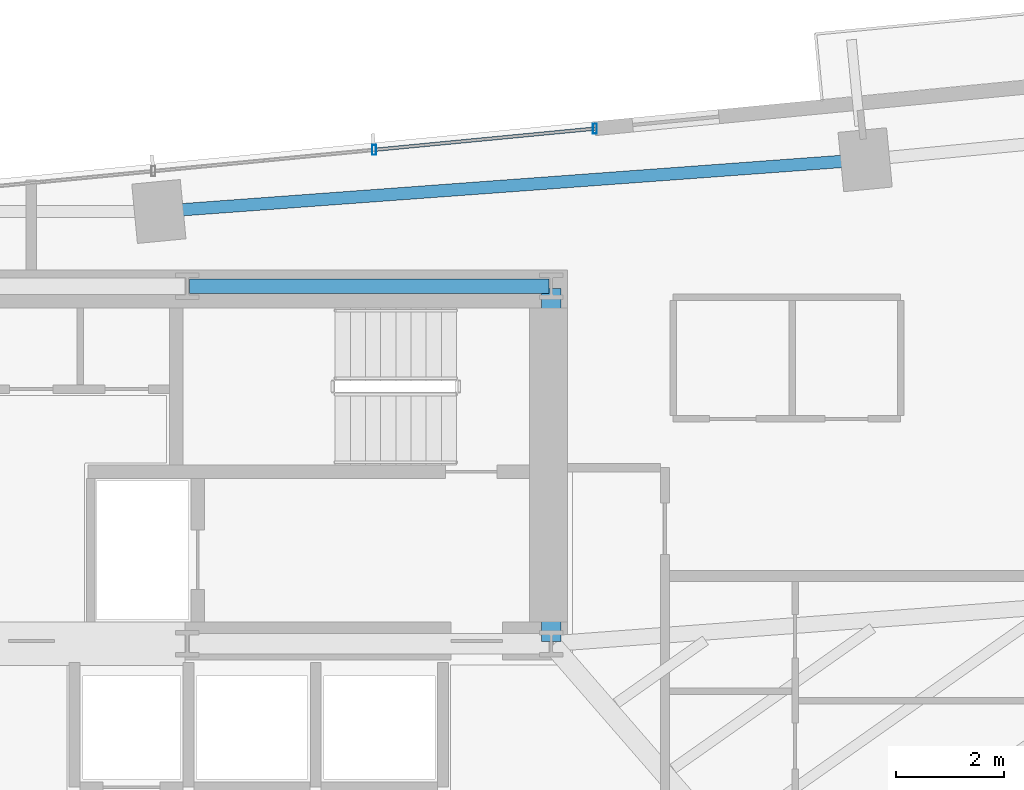
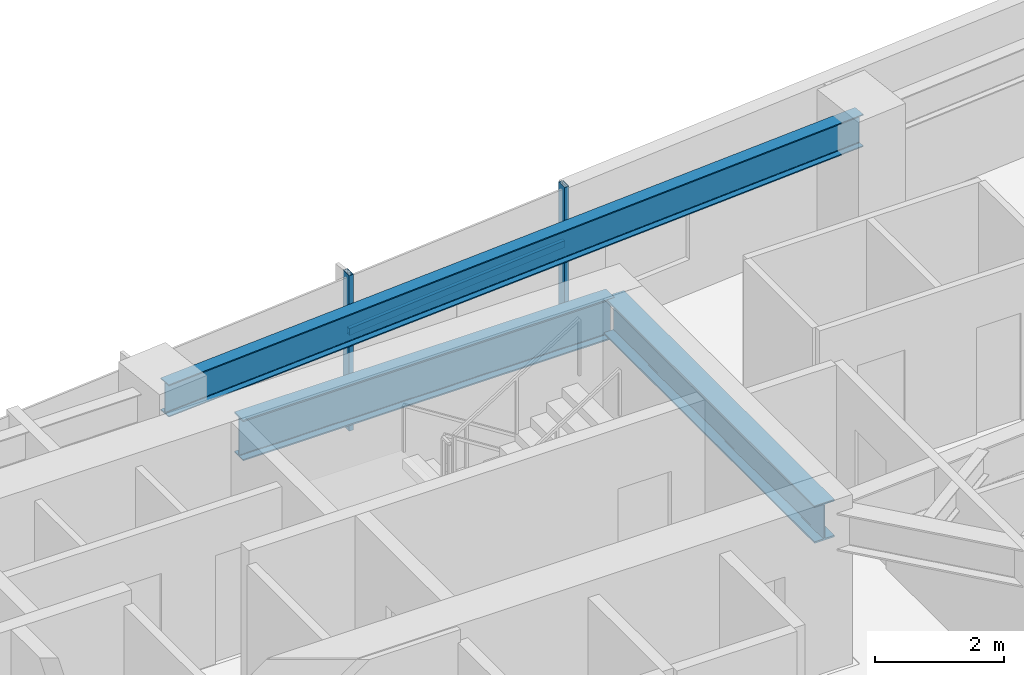
# One storey, part 17 of 27: 3 beams, 3 members, 1 element without a shape of its own.
"""IFC4 building model written with IfcOpenShell, lengths in metres."""

from ifc_helpers import new_model, si_unit, direction, frame, origin, origin_2d, place, context, subcontext, project, spatial, hollow_rectangle, i_section, extrude, source, transform, mapped, material, material_profile, profile_set, type_object, type_shapes, element, aggregate, save


model = new_model("IFC4")

# Units and contexts
model_context = context("Model", 3, precision=1e-05, world=origin(), true_north=direction((0.0, 1.0)))
body_context = subcontext(model_context, "Body", "Model", "MODEL_VIEW")
ifc_project = project(units=[si_unit("LENGTHUNIT", "METRE"), si_unit("AREAUNIT", "SQUARE_METRE"), si_unit("VOLUMEUNIT", "CUBIC_METRE"), si_unit("PLANEANGLEUNIT", "RADIAN"), si_unit("MASSUNIT", "GRAM", prefix="KILO")], contexts=[model_context])

# Site, building, storey
site_placement = place(None, origin())
site = spatial("IfcSite", under=ifc_project, at=site_placement, CompositionType="ELEMENT")
building_placement = place(site_placement, origin())
building = spatial("IfcBuilding", under=site, at=building_placement, Name="Astriad Promenade Condominiums", CompositionType="ELEMENT")
storey_placement = place(building_placement, frame((0.0, 0.0, 109.800048828125)))
storey = spatial("IfcBuildingStorey", under=building, at=storey_placement, Name="L31", CompositionType="ELEMENT", Elevation=109.800048828125)

# Beams
ifc_material_1 = material(Name="Steel ASTM A992 Grade 50", Category="steel")
ifc_material_profile_1 = material_profile(ifc_material_1, i_section(OverallWidth=0.267822265625, OverallDepth=0.76953125, WebThickness=0.015625, FlangeThickness=0.025390625, FilletRadius=0.021484375, at=origin_2d()), Name="W30X132")
ifc_profile_set_1 = profile_set([ifc_material_profile_1], Name="Steel ASTM A992 Grade 50")
beam_type_1 = type_object("IfcBeamType", Name="STEEL FLOOR GIRDER W30X132", PredefinedType="BEAM", material=ifc_profile_set_1)
shared_shape_1 = source(origin(), body_context, "Body", "SweptSolid", [
    extrude(i_section(OverallWidth=0.267822265625, OverallDepth=0.76953125, WebThickness=0.015625, FlangeThickness=0.025390625, FilletRadius=0.021484375, at=origin_2d()), origin(), (0.0, 0.0, 1.0), 6.64013671875),
])
type_shapes(beam_type_1, [shared_shape_1])
beam_1_placement = place(storey_placement, frame((38.919921875, 24.0, 2.55517578125), z_axis=(1.0, 0.0, 0.0), x_axis=(0.0, 1.0, 0.0)))
element("IfcBeam", 1, at=beam_1_placement, inside=storey, type_object=beam_type_1, Name="Core Ring Beam CG-N3-L31", PredefinedType="BEAM", context=body_context, shape_type="MappedRepresentation", body=[
    mapped(shared_shape_1, transform((0.0, 0.0, 0.0), scale=1.0)),
])
ifc_material_profile_2 = material_profile(ifc_material_1, i_section(OverallWidth=0.35791015625, OverallDepth=0.706298828125, WebThickness=0.018310546875, FlangeThickness=0.0302734375, FilletRadius=0.020263671875, at=origin_2d()), Name="W27X178")
ifc_profile_set_2 = profile_set([ifc_material_profile_2], Name="Steel ASTM A992 Grade 50")
beam_type_2 = type_object("IfcBeamType", Name="STEEL FLOOR GIRDER W27X178", PredefinedType="BEAM", material=ifc_profile_set_2)
shared_shape_2 = source(origin(), body_context, "Body", "SweptSolid", [
    extrude(i_section(OverallWidth=0.35791015625, OverallDepth=0.706298828125, WebThickness=0.018310546875, FlangeThickness=0.0302734375, FilletRadius=0.020263671875, at=origin_2d()), origin(), (0.0, 0.0, 1.0), 6.52001953125),
])
type_shapes(beam_type_2, [shared_shape_2])
beam_2_placement = place(storey_placement, frame((45.60009765625, 17.43994140625, 2.586669921875), z_axis=(0.0, 1.0, 0.0), x_axis=(-1.0, 0.0, 0.0)))
element("IfcBeam", 2, at=beam_2_placement, inside=storey, type_object=beam_type_2, Name="Core Ring Beam CG-E1-L31", PredefinedType="BEAM", context=body_context, shape_type="MappedRepresentation", body=[
    mapped(shared_shape_2, transform((0.0, 0.0, 0.0), scale=1.0)),
])
ifc_material_profile_3 = material_profile(ifc_material_1, i_section(OverallWidth=0.22900390625, OverallDepth=0.612060546875, WebThickness=0.011962890625, FlangeThickness=0.01953125, FilletRadius=0.017822265625, at=origin_2d()), Name="W24X84")
ifc_profile_set_3 = profile_set([ifc_material_profile_3], Name="Steel ASTM A992 Grade 50")
beam_type_3 = type_object("IfcBeamType", Name="STEEL SPANDREL BEAM W24X84", PredefinedType="SPANDREL", material=ifc_profile_set_3)
shared_shape_3 = source(origin(), body_context, "Body", "SweptSolid", [
    extrude(i_section(OverallWidth=0.22900390625, OverallDepth=0.612060546875, WebThickness=0.011962890625, FlangeThickness=0.01953125, FilletRadius=0.017822265625, at=origin_2d()), origin(), (0.0, 0.0, 1.0), 12.99462890625),
])
type_shapes(beam_type_3, [shared_shape_3])
beam_3_placement = place(storey_placement, frame((51.3544921875, 26.33203125, 2.6337890625), z_axis=(-0.997328518297, -0.073046742505, 0.0), x_axis=(0.073046742505, -0.997328518297, 0.0)))
element("IfcBeam", 3, at=beam_3_placement, inside=storey, type_object=beam_type_3, Name="Perimeter Spandrel Beam SP-N3-L31", PredefinedType="SPANDREL", context=body_context, shape_type="MappedRepresentation", body=[
    mapped(shared_shape_3, transform((0.0, 0.0, 0.0), scale=1.0)),
])

# Curtain wall, members
ifc_material_2 = material(Name="Anodised aluminium Black Dark Glass Unitised", Category="aluminium")
curtain_wall_type = type_object("IfcCurtainWallType", Name="CW-B2-DARK", PredefinedType="USERDEFINED", material=ifc_material_2)
curtain_wall_placement = place(storey_placement, origin())
curtain_wall = element("IfcCurtainWall", 4, at=curtain_wall_placement, inside=storey, type_object=curtain_wall_type, Name="CW-L31-N", ObjectType="UNITISED_CURTAIN_WALL", PredefinedType="USERDEFINED")
ifc_material_3 = material(Name="Anodised aluminium 6063-T6 Black", Category="aluminium")
ifc_material_profile_4 = material_profile(ifc_material_3, hollow_rectangle(XDim=0.074951171875, YDim=0.18505859375, WallThickness=0.00439453125, at=origin_2d()), Name="ALU-MUL-75X185")
ifc_profile_set_4 = profile_set([ifc_material_profile_4], Name="Anodised aluminium 6063-T6 Black")
member_type_1 = type_object("IfcMemberType", Name="MUL-ALU-MUL-75X185", PredefinedType="MULLION", material=ifc_profile_set_4)
shared_shape_4 = source(origin(), body_context, "Body", "SweptSolid", [
    extrude(hollow_rectangle(XDim=0.074951171875, YDim=0.18505859375, WallThickness=0.00439453125, at=origin_2d()), origin(), (0.0, 0.0, 1.0), 2.93994140625),
])
type_shapes(member_type_1, [shared_shape_4])
member_1_placement = place(storey_placement, frame((42.330078125, 26.51708984375, 0.0), z_axis=(0.0, 0.0, 1.0), x_axis=(1.0, 0.0, 0.0)))
member_1 = element("IfcMember", 5, at=member_1_placement, type_object=member_type_1, Name="CW-L31-N-MUL-03", PredefinedType="MULLION", context=body_context, shape_type="MappedRepresentation", body=[
    mapped(shared_shape_4, transform((0.0, 0.0, 0.0), scale=1.0)),
])
member_2_placement = place(storey_placement, frame((46.40625, 26.90966796875, 0.0), z_axis=(0.0, 0.0, 1.0), x_axis=(1.0, 0.0, 0.0)))
member_2 = element("IfcMember", 6, at=member_2_placement, type_object=member_type_1, Name="CW-L31-N-MUL-04", PredefinedType="MULLION", context=body_context, shape_type="MappedRepresentation", body=[
    mapped(shared_shape_4, transform((0.0, 0.0, 0.0), scale=1.0)),
])
ifc_material_profile_5 = material_profile(ifc_material_3, hollow_rectangle(XDim=0.06494140625, YDim=0.1298828125, WallThickness=0.00390625, at=origin_2d()), Name="ALU-TRN-65X130")
ifc_profile_set_5 = profile_set([ifc_material_profile_5], Name="Anodised aluminium 6063-T6 Black")
member_type_2 = type_object("IfcMemberType", Name="TRN-ALU-TRN-65X130", PredefinedType="USERDEFINED", material=ifc_profile_set_5)
shared_shape_5 = source(origin(), body_context, "Body", "SweptSolid", [
    extrude(hollow_rectangle(XDim=0.06494140625, YDim=0.1298828125, WallThickness=0.00390625, at=origin_2d()), origin(), (0.0, 0.0, 1.0), 4.094970703125),
])
type_shapes(member_type_2, [shared_shape_5])
member_3_placement = place(storey_placement, frame((42.330078125, 26.51708984375, 1.82275390625), z_axis=(0.995394161585, 0.09586690296, 0.0), x_axis=(-0.09586690296, 0.995394161585, 0.0)))
member_3 = element("IfcMember", 7, at=member_3_placement, type_object=member_type_2, Name="CW-L31-N-TRN-03-0", ObjectType="TRANSOM", PredefinedType="USERDEFINED", context=body_context, shape_type="MappedRepresentation", body=[
    mapped(shared_shape_5, transform((0.0, 0.0, 0.0), scale=1.0)),
])
aggregate(curtain_wall, [member_1, member_2, member_3])

save(model, "model.ifc")
